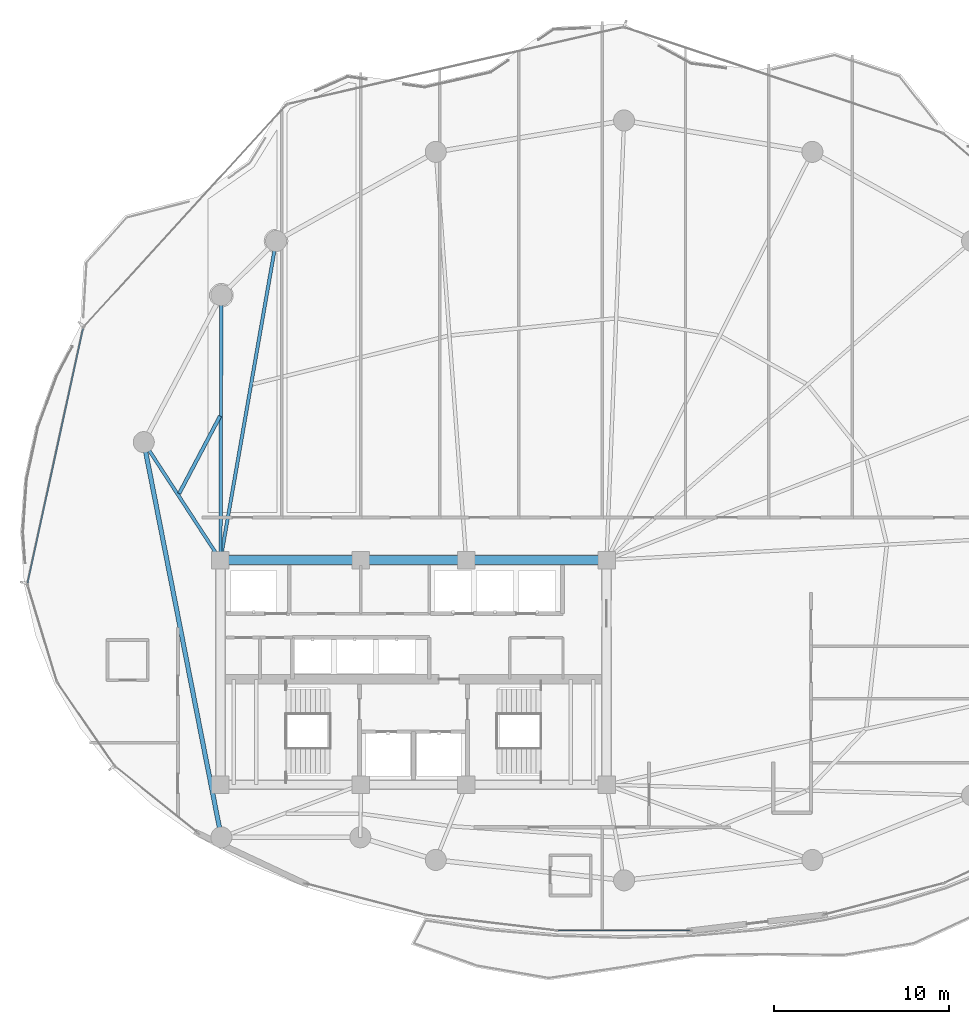
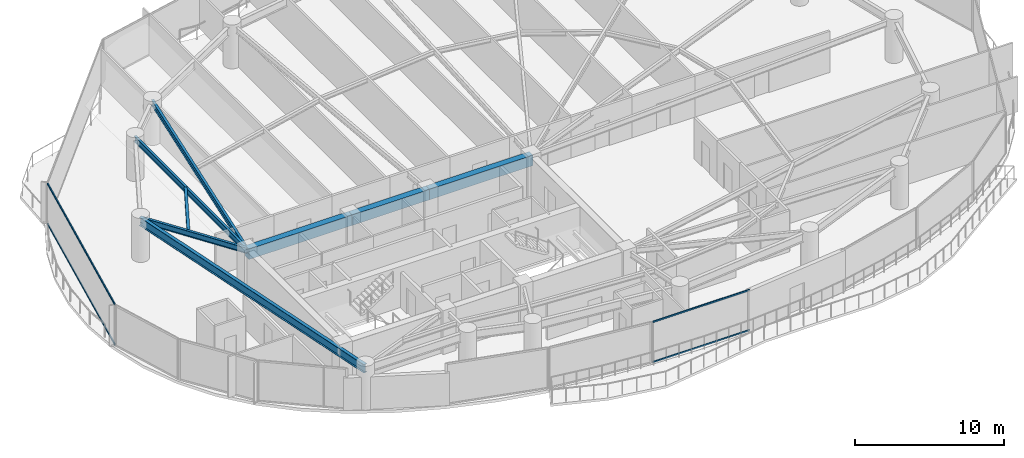
# One storey, part 9 of 34: 8 beams, 4 members, 2 elements without a shape of their own.
"""IFC4 building model written with IfcOpenShell, lengths in metres."""

from ifc_helpers import new_model, si_unit, direction, frame, origin, origin_2d, place, context, subcontext, project, spatial, rectangle, hollow_rectangle, i_section, extrude, material, layer, layer_set, material_profile, profile_set, type_object, element, aggregate, save


model = new_model("IFC4")

# Units and contexts
model_context = context("Model", 3, precision=1e-05, world=origin(), true_north=direction((0.0, 1.0)))
body_context = subcontext(model_context, "Body", "Model", "MODEL_VIEW")
ifc_project = project(units=[si_unit("LENGTHUNIT", "METRE"), si_unit("AREAUNIT", "SQUARE_METRE"), si_unit("VOLUMEUNIT", "CUBIC_METRE"), si_unit("PLANEANGLEUNIT", "RADIAN"), si_unit("MASSUNIT", "GRAM", prefix="KILO")], contexts=[model_context])

# Site, building, storey
site_placement = place(None, origin())
site = spatial("IfcSite", under=ifc_project, at=site_placement, CompositionType="ELEMENT")
building_placement = place(site_placement, origin())
building = spatial("IfcBuilding", under=site, at=building_placement, Name="Kazevale Care Tower and Concert Hall", CompositionType="ELEMENT")
storey_placement = place(building_placement, frame((0.0, 0.0, 171.0)))
storey = spatial("IfcBuildingStorey", under=building, at=storey_placement, Name="L45", CompositionType="ELEMENT", Elevation=171.0)

# Curtain wall, members
ifc_material_1 = material(Name="Aluminium 6063-T6 and Low-E Glass", Category="aluminium")
ifc_layer_1 = layer(ifc_material_1, 0.179931640625)
ifc_layer_set_1 = layer_set([ifc_layer_1], Name="Aluminium 6063-T6 and Low-E Glass")
curtain_wall_type_1 = type_object("IfcCurtainWallType", Name="Waist & Upper Residential Curtain Wall CW-4", PredefinedType="NOTDEFINED", material=ifc_layer_set_1)
curtain_wall_1_placement = place(storey_placement, origin())
curtain_wall_1 = element("IfcCurtainWall", 1, at=curtain_wall_1_placement, inside=storey, type_object=curtain_wall_type_1, Name="cw:L45:f13", PredefinedType="NOTDEFINED")
ifc_material_2 = material(Name="Aluminium 6063-T6", Category="aluminium")
ifc_material_profile_1 = material_profile(ifc_material_2, hollow_rectangle(XDim=0.080078125, YDim=0.139892578125, WallThickness=0.00390625, at=origin_2d()), Name="ALU80x140x4")
ifc_profile_set_1 = profile_set([ifc_material_profile_1], Name="Aluminium 6063-T6")
member_type_1 = type_object("IfcMemberType", Name="CW-4 Transom ALU80x140x4", PredefinedType="USERDEFINED", material=ifc_profile_set_1)
member_1_placement = place(storey_placement, frame((11.011962890625, 35.10205078125, 0.0400390625), z_axis=(0.212825500876, 0.977090224174, 0.0), x_axis=(-0.977090224174, 0.212825500876, 0.0)))
member_1 = element("IfcMember", 2, at=member_1_placement, type_object=member_type_1, Name="CW-4 transom 1.1", ObjectType="TRANSOM", PredefinedType="USERDEFINED", context=body_context, shape_type="SweptSolid", body=[
    extrude(hollow_rectangle(XDim=0.080078125, YDim=0.139892578125, WallThickness=0.00390625, at=origin_2d()), origin(), (0.0, 0.0, 1.0), 14.824462890625),
])
member_2_placement = place(storey_placement, frame((11.011962890625, 35.10205078125, 3.320068359375), z_axis=(0.212825500876, 0.977090224174, 0.0), x_axis=(-0.977090224174, 0.212825500876, 0.0)))
member_2 = element("IfcMember", 3, at=member_2_placement, type_object=member_type_1, Name="CW-4 transom 1.2", ObjectType="TRANSOM", PredefinedType="USERDEFINED", context=body_context, shape_type="SweptSolid", body=[
    extrude(hollow_rectangle(XDim=0.080078125, YDim=0.139892578125, WallThickness=0.00390625, at=origin_2d()), origin(), (0.0, 0.0, 1.0), 14.824462890625),
])
aggregate(curtain_wall_1, [member_1, member_2])

ifc_layer_2 = layer(ifc_material_1, 0.179931640625)
ifc_layer_set_2 = layer_set([ifc_layer_2], Name="Aluminium 6063-T6 and Low-E Glass")
curtain_wall_type_2 = type_object("IfcCurtainWallType", Name="Sheltered Concave Balcony Curtain Wall CW-5", PredefinedType="NOTDEFINED", material=ifc_layer_set_2)
curtain_wall_2_placement = place(storey_placement, origin())
curtain_wall_2 = element("IfcCurtainWall", 4, at=curtain_wall_2_placement, inside=storey, type_object=curtain_wall_type_2, Name="cw:L45:f06", PredefinedType="NOTDEFINED")
ifc_material_profile_2 = material_profile(ifc_material_2, hollow_rectangle(XDim=0.074951171875, YDim=0.1201171875, WallThickness=0.00390625, at=origin_2d()), Name="ALU75x120x4")
ifc_profile_set_2 = profile_set([ifc_material_profile_2], Name="Aluminium 6063-T6")
member_type_2 = type_object("IfcMemberType", Name="CW-5 Transom ALU75x120x4", PredefinedType="USERDEFINED", material=ifc_profile_set_2)
member_3_placement = place(storey_placement, frame((48.76611328125, 15.2890625, 0.03759765625), z_axis=(-1.0, 0.0, 0.0), x_axis=(0.0, -1.0, 0.0)))
member_3 = element("IfcMember", 5, at=member_3_placement, type_object=member_type_2, Name="CW-5 transom 1.1", ObjectType="TRANSOM", PredefinedType="USERDEFINED", context=body_context, shape_type="SweptSolid", body=[
    extrude(hollow_rectangle(XDim=0.074951171875, YDim=0.1201171875, WallThickness=0.00390625, at=origin_2d()), origin(), (0.0, 0.0, 1.0), 7.5322265625),
])
member_4_placement = place(storey_placement, frame((48.76611328125, 15.2890625, 3.322509765625), z_axis=(-1.0, 0.0, 0.0), x_axis=(0.0, -1.0, 0.0)))
member_4 = element("IfcMember", 6, at=member_4_placement, type_object=member_type_2, Name="CW-5 transom 1.2", ObjectType="TRANSOM", PredefinedType="USERDEFINED", context=body_context, shape_type="SweptSolid", body=[
    extrude(hollow_rectangle(XDim=0.074951171875, YDim=0.1201171875, WallThickness=0.00390625, at=origin_2d()), origin(), (0.0, 0.0, 1.0), 7.5322265625),
])
aggregate(curtain_wall_2, [member_3, member_4])

# Beams
ifc_material_3 = material(Name="Concrete C60", Category="concrete")
ifc_material_profile_3 = material_profile(ifc_material_3, rectangle(XDim=0.5, YDim=0.85009765625, at=origin_2d()), Name="RC-B500x850")
ifc_profile_set_3 = profile_set([ifc_material_profile_3], Name="Concrete C60")
beam_type_1 = type_object("IfcBeamType", Name="Core Coupling Beam RC500x850", PredefinedType="LINTEL", material=ifc_profile_set_3)
beam_1_placement = place(storey_placement, frame((44.0, 36.39990234375, 2.93505859375), z_axis=(-1.0, 0.0, 0.0), x_axis=(0.0, -1.0, 0.0)))
element("IfcBeam", 7, at=beam_1_placement, inside=storey, type_object=beam_type_1, Name="beam:L45:coretie:5", PredefinedType="LINTEL", context=body_context, shape_type="SweptSolid", body=[
    extrude(rectangle(XDim=0.5, YDim=0.85009765625, at=origin_2d()), origin(), (0.0, 0.0, 1.0), 8.0),
])
beam_2_placement = place(storey_placement, frame((36.0, 36.39990234375, 2.93505859375), z_axis=(-1.0, 0.0, 0.0), x_axis=(0.0, -1.0, 0.0)))
element("IfcBeam", 8, at=beam_2_placement, inside=storey, type_object=beam_type_1, Name="beam:L45:coretie:6", PredefinedType="LINTEL", context=body_context, shape_type="SweptSolid", body=[
    extrude(rectangle(XDim=0.5, YDim=0.85009765625, at=origin_2d()), origin(), (0.0, 0.0, 1.0), 6.0),
])
beam_3_placement = place(storey_placement, frame((30.0, 36.39990234375, 2.93505859375), z_axis=(-1.0, 0.0, 0.0), x_axis=(0.0, -1.0, 0.0)))
element("IfcBeam", 9, at=beam_3_placement, inside=storey, type_object=beam_type_1, Name="beam:L45:coretie:7", PredefinedType="LINTEL", context=body_context, shape_type="SweptSolid", body=[
    extrude(rectangle(XDim=0.5, YDim=0.85009765625, at=origin_2d()), origin(), (0.0, 0.0, 1.0), 8.0),
])
ifc_material_4 = material(Name="Steel ASTM A572 Gr 50", Category="steel")
ifc_material_profile_4 = material_profile(ifc_material_4, i_section(OverallWidth=0.19091796875, OverallDepth=0.4599609375, WebThickness=0.010009765625, FlangeThickness=0.01611328125, at=origin_2d()), Name="W460x82")
ifc_profile_set_4 = profile_set([ifc_material_profile_4], Name="Steel ASTM A572 Gr 50")
beam_type_2 = type_object("IfcBeamType", Name="Radial Floor Beam W460x82", PredefinedType="BEAM", material=ifc_profile_set_4)
beam_4_placement = place(storey_placement, frame((22.0, 36.39990234375, 3.1298828125), z_axis=(0.171769935245, 0.985137091651, 0.0), x_axis=(-0.985137091651, 0.171769935245, 0.0)))
element("IfcBeam", 10, at=beam_4_placement, inside=storey, type_object=beam_type_2, Name="beam:L45:rad:07", PredefinedType="BEAM", context=body_context, shape_type="SweptSolid", body=[
    extrude(i_section(OverallWidth=0.19091796875, OverallDepth=0.4599609375, WebThickness=0.010009765625, FlangeThickness=0.01611328125, at=origin_2d()), origin(), (0.0, 0.0, 1.0), 18.454345703125),
])
beam_5_placement = place(storey_placement, frame((22.0, 36.39990234375, 3.1298828125), z_axis=(0.003316650851, 0.999994499898, 0.0), x_axis=(-0.999994499898, 0.003316650851, 0.0)))
element("IfcBeam", 11, at=beam_5_placement, inside=storey, type_object=beam_type_2, Name="beam:L45:rad:08", PredefinedType="BEAM", context=body_context, shape_type="SweptSolid", body=[
    extrude(i_section(OverallWidth=0.19091796875, OverallDepth=0.4599609375, WebThickness=0.010009765625, FlangeThickness=0.01611328125, at=origin_2d()), origin(), (0.0, 0.0, 1.0), 15.090087890625),
])
beam_6_placement = place(storey_placement, frame((22.0, 36.39990234375, 3.1298828125), z_axis=(-0.5451617613, 0.83833087383, 0.0), x_axis=(-0.83833087383, -0.5451617613, 0.0)))
element("IfcBeam", 12, at=beam_6_placement, inside=storey, type_object=beam_type_2, Name="beam:L45:rad:09", PredefinedType="BEAM", context=body_context, shape_type="SweptSolid", body=[
    extrude(i_section(OverallWidth=0.19091796875, OverallDepth=0.4599609375, WebThickness=0.010009765625, FlangeThickness=0.01611328125, at=origin_2d()), origin(), (0.0, 0.0, 1.0), 8.01611328125),
])
ifc_material_profile_5 = material_profile(ifc_material_4, i_section(OverallWidth=0.205078125, OverallDepth=0.35400390625, WebThickness=0.009521484375, FlangeThickness=0.016845703125, at=origin_2d()), Name="W360x79")
ifc_profile_set_5 = profile_set([ifc_material_profile_5], Name="Steel ASTM A572 Gr 50")
beam_type_3 = type_object("IfcBeamType", Name="Secondary Floor Joist W360x79", PredefinedType="JOIST", material=ifc_profile_set_5)
beam_7_placement = place(storey_placement, frame((21.97802734375, 44.60693359375, 3.18310546875), z_axis=(-0.466809583155, -0.884357853515, 0.0), x_axis=(0.884357853515, -0.466809583155, 0.0)))
element("IfcBeam", 13, at=beam_7_placement, inside=storey, type_object=beam_type_3, Name="beam:L45:joist:08", PredefinedType="JOIST", context=body_context, shape_type="SweptSolid", body=[
    extrude(i_section(OverallWidth=0.205078125, OverallDepth=0.35400390625, WebThickness=0.009521484375, FlangeThickness=0.016845703125, at=origin_2d()), origin(), (0.0, 0.0, 1.0), 4.99560546875),
])
ifc_material_profile_6 = material_profile(ifc_material_4, i_section(OverallWidth=0.256103515625, OverallDepth=0.693115234375, WebThickness=0.014404296875, FlangeThickness=0.023681640625, at=origin_2d()), Name="W690x170")
ifc_profile_set_6 = profile_set([ifc_material_profile_6], Name="Steel ASTM A572 Gr 50")
beam_type_4 = type_object("IfcBeamType", Name="Waist Ring Beam W690x170", PredefinedType="BEAM", material=ifc_profile_set_6)
beam_8_placement = place(storey_placement, frame((17.6298828125, 43.1201171875, 3.013427734375), z_axis=(0.192602267784, -0.9812769061, 0.0), x_axis=(0.9812769061, 0.192602267784, 0.0)))
element("IfcBeam", 14, at=beam_8_placement, inside=storey, type_object=beam_type_4, Name="beam:L45:ring:09", PredefinedType="BEAM", context=body_context, shape_type="SweptSolid", body=[
    extrude(i_section(OverallWidth=0.256103515625, OverallDepth=0.693115234375, WebThickness=0.014404296875, FlangeThickness=0.023681640625, at=origin_2d()), origin(), (0.0, 0.0, 1.0), 22.94970703125),
])

save(model, "model.ifc")
